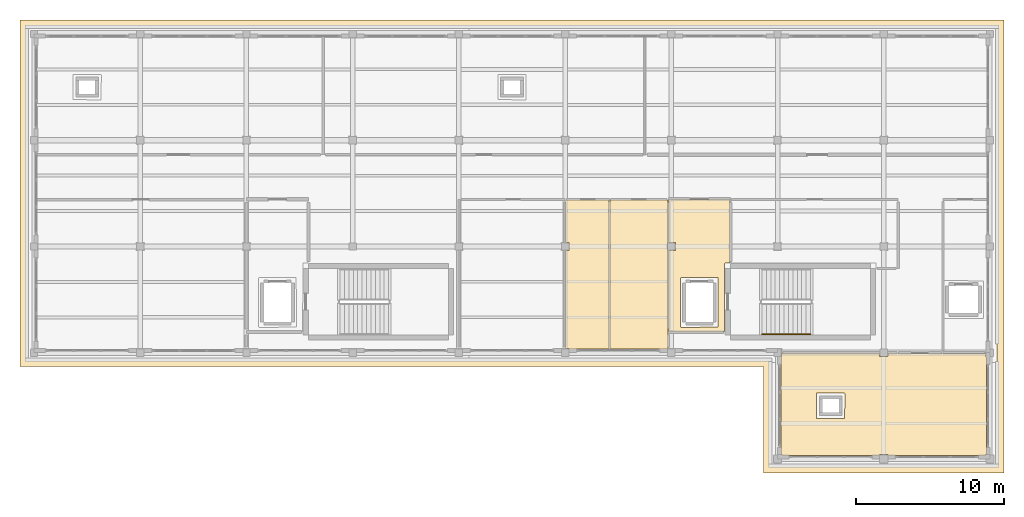
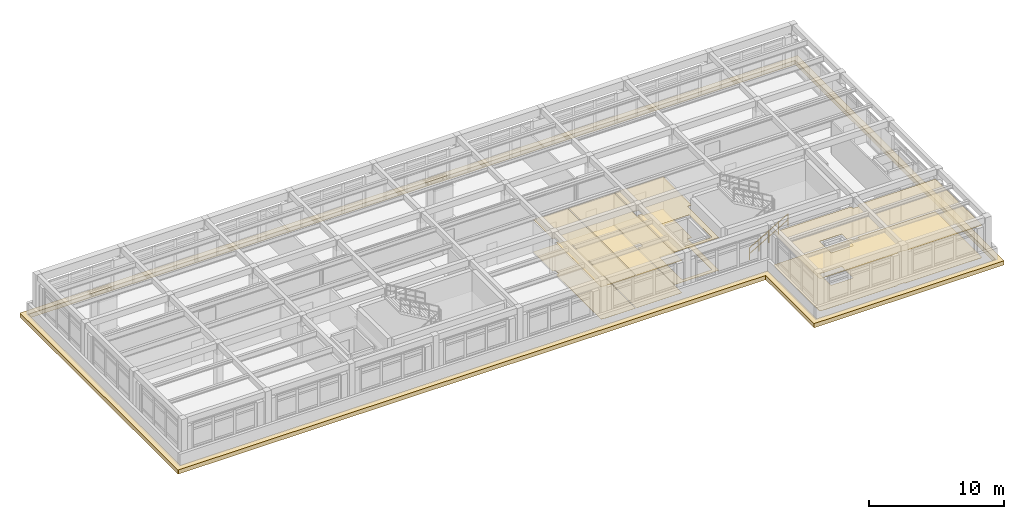
# One storey, part 19 of 20: 9 coverings, 1 railing.
"""IFC4 building model written with IfcOpenShell, lengths in metres."""

from ifc_helpers import new_model, si_unit, direction, frame, origin, origin_2d, place, context, subcontext, project, spatial, polyline, circle, outline, extrude, material, layer, layer_set, type_object, element, save


model = new_model("IFC4")

# Units and contexts
model_context = context("Model", 3, precision=1e-05, world=origin(), true_north=direction((0.0, 1.0)))
body_context = subcontext(model_context, "Body", "Model", "MODEL_VIEW")
ifc_project = project(units=[si_unit("LENGTHUNIT", "METRE"), si_unit("AREAUNIT", "SQUARE_METRE"), si_unit("VOLUMEUNIT", "CUBIC_METRE"), si_unit("PLANEANGLEUNIT", "RADIAN"), si_unit("MASSUNIT", "GRAM", prefix="KILO")], contexts=[model_context])

# Site, building, storey
site_placement = place(None, origin())
site = spatial("IfcSite", under=ifc_project, at=site_placement, CompositionType="ELEMENT")
building_placement = place(site_placement, origin())
building = spatial("IfcBuilding", under=site, at=building_placement, Name="Solenvale Faculty of Natural Sciences", CompositionType="ELEMENT")
storey_placement = place(building_placement, frame((0.0, 0.0, 35.39990234375)))
storey = spatial("IfcBuildingStorey", under=building, at=storey_placement, Name="L08", CompositionType="ELEMENT", Elevation=35.39990234375)

# Coverings
ifc_material_1 = material(Name="Acoustic mineral-timber ceiling", Category="wood")
ifc_layer_1 = layer(ifc_material_1, 0.02490234375)
ifc_layer_set_1 = layer_set([ifc_layer_1], Name="Acoustic mineral-timber ceiling")
covering_type_1 = type_object("IfcCoveringType", Name="COV-CEIL-AC25", PredefinedType="CEILING", material=ifc_layer_set_1)
covering_1_placement = place(storey_placement, frame((0.0, 0.0, 2.93505859375)))
element("IfcCovering", 1, at=covering_1_placement, inside=storey, type_object=covering_type_1, Name="L08 Firefighting Lobby C5 Acoustic Ceiling", PredefinedType="CEILING", context=body_context, shape_type="SweptSolid", body=[
    extrude(outline(polyline([(133.580078125, 99.7099609375), (133.555908203125, 99.680908203125), (133.248046875, 99.679931640625), (133.219970703125, 99.652099609375), (133.212890625, 95.031005859375), (133.18994140625, 95.02001953125), (129.430908203125, 95.027099609375), (129.419921875, 95.050048828125), (129.419921875, 100.498046875), (129.447021484375, 100.52490234375), (129.873046875, 100.529052734375), (129.875, 101.06396484375), (129.864013671875, 101.074951171875), (129.447021484375, 101.074951171875), (129.4208984375, 101.09912109375), (129.419921875, 103.949951171875), (129.428955078125, 103.970947265625), (129.449951171875, 103.97998046875), (133.550048828125, 103.97998046875), (133.571044921875, 103.970947265625), (133.580078125, 103.949951171875), (133.580078125, 99.7099609375)]), holes=[polyline([(130.248046875, 98.679931640625), (130.22802734375, 98.669921875), (130.219970703125, 98.64990234375), (130.22607421875, 95.33203125), (130.25, 95.320068359375), (132.76806640625, 95.325927734375), (132.780029296875, 95.35009765625), (132.77392578125, 98.66796875), (132.75, 98.679931640625), (130.248046875, 98.679931640625)])]), origin(), (0.0, 0.0, 1.0), 0.025146484375),
])
covering_2_placement = place(storey_placement, frame((0.0, 0.0, 2.93505859375)))
element("IfcCovering", 2, at=covering_2_placement, inside=storey, type_object=covering_type_1, Name="L08 Accessible Washroom Acoustic Ceiling", PredefinedType="CEILING", context=body_context, shape_type="SweptSolid", body=[
    extrude(outline(polyline([(122.705078125, 93.840087890625), (122.6669921875, 93.875), (122.467041015625, 93.875), (122.43994140625, 93.905029296875), (122.43994140625, 100.4951171875), (122.464111328125, 100.52392578125), (122.666015625, 100.52490234375), (122.675048828125, 100.535888671875), (122.674072265625, 101.069091796875), (122.467041015625, 101.074951171875), (122.43994140625, 101.10205078125), (122.44091796875, 103.93896484375), (122.469970703125, 103.9599609375), (125.35888671875, 103.958984375), (125.3798828125, 103.929931640625), (125.37890625, 93.861083984375), (125.35009765625, 93.840087890625), (122.705078125, 93.840087890625)])), origin(), (0.0, 0.0, 1.0), 0.025146484375),
])
covering_3_placement = place(storey_placement, frame((0.0, 0.0, 2.93505859375)))
element("IfcCovering", 3, at=covering_3_placement, inside=storey, type_object=covering_type_1, Name="L08 Analytical Balance Room Acoustic Ceiling", PredefinedType="CEILING", context=body_context, shape_type="SweptSolid", body=[
    extrude(outline(polyline([(129.366943359375, 93.8798828125), (129.294921875, 93.840087890625), (125.469970703125, 93.840087890625), (125.44189453125, 93.85888671875), (125.43994140625, 103.929931640625), (125.458984375, 103.9580078125), (129.330078125, 103.9599609375), (129.35791015625, 103.94091796875), (129.360107421875, 101.10498046875), (129.324951171875, 101.06591796875), (129.324951171875, 100.535888671875), (129.360107421875, 100.4951171875), (129.360107421875, 95.0), (129.3798828125, 94.950927734375), (129.3798828125, 93.905029296875), (129.366943359375, 93.8798828125)])), origin(), (0.0, 0.0, 1.0), 0.025146484375),
])
covering_4_placement = place(storey_placement, frame((0.0, 0.0, 2.93505859375)))
element("IfcCovering", 4, at=covering_4_placement, inside=storey, type_object=covering_type_1, Name="L08 Seminar Room Acoustic Ceiling", PredefinedType="CEILING", context=body_context, shape_type="SweptSolid", body=[
    extrude(outline(polyline([(137.0400390625, 93.294921875), (137.074951171875, 93.3330078125), (137.074951171875, 93.552978515625), (137.10498046875, 93.580078125), (143.695068359375, 93.580078125), (143.72412109375, 93.555908203125), (143.72509765625, 93.3359375), (143.736083984375, 93.324951171875), (144.26904296875, 93.325927734375), (144.27490234375, 93.552978515625), (144.304931640625, 93.580078125), (144.950927734375, 93.580078125), (145.0, 93.56005859375), (150.906005859375, 93.55810546875), (150.925048828125, 93.532958984375), (150.925048828125, 93.3330078125), (150.9599609375, 93.294921875), (150.9580078125, 86.718994140625), (150.94091796875, 86.701904296875), (150.904052734375, 86.697998046875), (150.89599609375, 86.656005859375), (150.8701171875, 86.639892578125), (144.330078125, 86.639892578125), (144.304931640625, 86.653076171875), (144.2890625, 86.699951171875), (143.708984375, 86.699951171875), (143.695068359375, 86.653076171875), (143.669921875, 86.639892578125), (137.118896484375, 86.64208984375), (137.10205078125, 86.658935546875), (137.097900390625, 86.696044921875), (137.055908203125, 86.7041015625), (137.0400390625, 86.72998046875), (137.0400390625, 93.294921875)]), holes=[polyline([(139.468017578125, 90.860107421875), (139.447998046875, 90.85009765625), (139.43994140625, 90.830078125), (139.43994140625, 89.169921875), (139.449951171875, 89.14794921875), (141.330078125, 89.139892578125), (141.35205078125, 89.14990234375), (141.360107421875, 90.830078125), (141.35009765625, 90.85205078125), (139.468017578125, 90.860107421875)])]), origin(), (0.0, 0.0, 1.0), 0.025146484375),
])
ifc_material_2 = material(Name="Polished slate terrazzo flooring", Category="masonry")
ifc_layer_2 = layer(ifc_material_2, 0.01806640625)
ifc_layer_set_2 = layer_set([ifc_layer_2], Name="Polished slate terrazzo flooring")
covering_type_2 = type_object("IfcCoveringType", Name="COV-FLR-TRZ18", PredefinedType="FLOORING", material=ifc_layer_set_2)
covering_5_placement = place(storey_placement, origin())
element("IfcCovering", 5, at=covering_5_placement, inside=storey, type_object=covering_type_2, Name="L08 Firefighting Lobby C5 Floor Finish", PredefinedType="FLOORING", context=body_context, shape_type="SweptSolid", body=[
    extrude(outline(polyline([(133.580078125, 99.7099609375), (133.555908203125, 99.680908203125), (133.248046875, 99.679931640625), (133.219970703125, 99.652099609375), (133.212890625, 95.031005859375), (133.18994140625, 95.02001953125), (129.430908203125, 95.027099609375), (129.419921875, 95.050048828125), (129.419921875, 100.498046875), (129.447021484375, 100.52490234375), (129.873046875, 100.529052734375), (129.875, 101.06396484375), (129.864013671875, 101.074951171875), (129.447021484375, 101.074951171875), (129.4208984375, 101.09912109375), (129.419921875, 103.949951171875), (129.428955078125, 103.970947265625), (129.449951171875, 103.97998046875), (133.550048828125, 103.97998046875), (133.571044921875, 103.970947265625), (133.580078125, 103.949951171875), (133.580078125, 99.7099609375)]), holes=[polyline([(130.248046875, 98.679931640625), (130.22802734375, 98.669921875), (130.219970703125, 98.64990234375), (130.22607421875, 95.33203125), (130.25, 95.320068359375), (132.76806640625, 95.325927734375), (132.780029296875, 95.35009765625), (132.77392578125, 98.66796875), (132.75, 98.679931640625), (130.248046875, 98.679931640625)])]), origin(), (0.0, 0.0, 1.0), 0.01806640625),
])
covering_6_placement = place(storey_placement, origin())
element("IfcCovering", 6, at=covering_6_placement, inside=storey, type_object=covering_type_2, Name="L08 Accessible Washroom Floor Finish", PredefinedType="FLOORING", context=body_context, shape_type="SweptSolid", body=[
    extrude(outline(polyline([(122.705078125, 93.840087890625), (122.6669921875, 93.875), (122.467041015625, 93.875), (122.43994140625, 93.905029296875), (122.43994140625, 100.4951171875), (122.464111328125, 100.52392578125), (122.666015625, 100.52490234375), (122.675048828125, 100.535888671875), (122.674072265625, 101.069091796875), (122.467041015625, 101.074951171875), (122.43994140625, 101.10205078125), (122.44091796875, 103.93896484375), (122.469970703125, 103.9599609375), (125.35888671875, 103.958984375), (125.3798828125, 103.929931640625), (125.37890625, 93.861083984375), (125.35009765625, 93.840087890625), (122.705078125, 93.840087890625)])), origin(), (0.0, 0.0, 1.0), 0.01806640625),
])
covering_7_placement = place(storey_placement, origin())
element("IfcCovering", 7, at=covering_7_placement, inside=storey, type_object=covering_type_2, Name="L08 Analytical Balance Room Floor Finish", PredefinedType="FLOORING", context=body_context, shape_type="SweptSolid", body=[
    extrude(outline(polyline([(129.366943359375, 93.8798828125), (129.294921875, 93.840087890625), (125.469970703125, 93.840087890625), (125.44189453125, 93.85888671875), (125.43994140625, 103.929931640625), (125.458984375, 103.9580078125), (129.330078125, 103.9599609375), (129.35791015625, 103.94091796875), (129.360107421875, 101.10498046875), (129.324951171875, 101.06591796875), (129.324951171875, 100.535888671875), (129.360107421875, 100.4951171875), (129.360107421875, 95.0), (129.3798828125, 94.950927734375), (129.3798828125, 93.905029296875), (129.366943359375, 93.8798828125)])), origin(), (0.0, 0.0, 1.0), 0.01806640625),
])
covering_8_placement = place(storey_placement, origin())
element("IfcCovering", 8, at=covering_8_placement, inside=storey, type_object=covering_type_2, Name="L08 Seminar Room Floor Finish", PredefinedType="FLOORING", context=body_context, shape_type="SweptSolid", body=[
    extrude(outline(polyline([(137.0400390625, 93.294921875), (137.074951171875, 93.3330078125), (137.074951171875, 93.552978515625), (137.10498046875, 93.580078125), (143.695068359375, 93.580078125), (143.72412109375, 93.555908203125), (143.72509765625, 93.3359375), (143.736083984375, 93.324951171875), (144.26904296875, 93.325927734375), (144.27490234375, 93.552978515625), (144.304931640625, 93.580078125), (144.950927734375, 93.580078125), (145.0, 93.56005859375), (150.906005859375, 93.55810546875), (150.925048828125, 93.532958984375), (150.925048828125, 93.3330078125), (150.9599609375, 93.294921875), (150.9580078125, 86.718994140625), (150.94091796875, 86.701904296875), (150.904052734375, 86.697998046875), (150.89599609375, 86.656005859375), (150.8701171875, 86.639892578125), (144.330078125, 86.639892578125), (144.304931640625, 86.653076171875), (144.2890625, 86.699951171875), (143.708984375, 86.699951171875), (143.695068359375, 86.653076171875), (143.669921875, 86.639892578125), (137.118896484375, 86.64208984375), (137.10205078125, 86.658935546875), (137.097900390625, 86.696044921875), (137.055908203125, 86.7041015625), (137.0400390625, 86.72998046875), (137.0400390625, 93.294921875)]), holes=[polyline([(139.468017578125, 90.860107421875), (139.447998046875, 90.85009765625), (139.43994140625, 90.830078125), (139.43994140625, 89.169921875), (139.449951171875, 89.14794921875), (141.330078125, 89.139892578125), (141.35205078125, 89.14990234375), (141.360107421875, 90.830078125), (141.35009765625, 90.85205078125), (139.468017578125, 90.860107421875)])]), origin(), (0.0, 0.0, 1.0), 0.01806640625),
])
ifc_material_3 = material(Name="Insulated EPDM roofing membrane")
ifc_layer_3 = layer(ifc_material_3, 0.06494140625)
ifc_layer_set_3 = layer_set([ifc_layer_3], Name="Insulated EPDM roofing membrane")
covering_type_3 = type_object("IfcCoveringType", Name="COV-ROOF-MEMB", PredefinedType="ROOFING", material=ifc_layer_set_3)
covering_9_placement = place(storey_placement, frame((0.0, 0.0, -0.33984375)))
element("IfcCovering", 9, at=covering_9_placement, inside=storey, type_object=covering_type_3, Name="L08 Projecting Horizontal Bronze Concrete Tray Ledge 1", PredefinedType="CLADDING", context=body_context, shape_type="SweptSolid", body=[
    extrude(outline(polyline([(85.469970703125, 92.64990234375), (85.4560546875, 92.656005859375), (85.449951171875, 92.669921875), (85.449951171875, 116.1298828125), (85.464111328125, 116.14892578125), (152.1298828125, 116.14990234375), (152.14892578125, 116.135986328125), (152.14990234375, 85.469970703125), (152.135986328125, 85.450927734375), (135.862060546875, 85.451904296875), (135.85009765625, 85.469970703125), (135.85009765625, 92.64990234375), (85.469970703125, 92.64990234375)]), holes=[polyline([(85.919921875, 93.1201171875), (136.302001953125, 93.1201171875), (136.31396484375, 93.114013671875), (136.320068359375, 93.10009765625), (136.320068359375, 85.919921875), (151.679931640625, 85.919921875), (151.679931640625, 115.679931640625), (85.919921875, 115.679931640625), (85.919921875, 93.1201171875)])]), origin(), (0.0, 0.0, 1.0), 0.3798828125),
])

# Railing
ifc_material_4 = material(Name="Stainless steel Grade 304", Category="steel")
railing_type = type_object("IfcRailingType", Name="RL-HND-900", PredefinedType="HANDRAIL", material=ifc_material_4)
railing_placement = place(storey_placement, frame((135.739990234375, 94.85009765625, 0.175048828125)))
element("IfcRailing", 10, at=railing_placement, inside=storey, type_object=railing_type, Name="L08 ST-05 stair handrail 1", PredefinedType="HANDRAIL", context=body_context, shape_type="SweptSolid", body=[
    extrude(circle(Radius=0.02392578125, at=origin_2d()), frame((0.0, 0.0, 1.0751953125), z_axis=(0.863776583165, 0.0, 0.503874998761), x_axis=(0.0, 1.0, 0.0)), (0.0, 0.0, 1.0), 3.820556640625),
    extrude(circle(Radius=0.01611328125, at=origin_2d()), frame((0.0, 0.0, 0.549560546875), z_axis=(0.863776583165, 0.0, 0.503874998761), x_axis=(0.0, 1.0, 0.0)), (0.0, 0.0, 1.0), 3.820556640625),
    extrude(circle(Radius=0.02099609375, at=origin_2d()), origin(), (0.0, 0.0, 1.0), 1.051025390625),
    extrude(circle(Radius=0.02099609375, at=origin_2d()), frame((0.824951171875, 0.0, 0.481201171875)), (0.0, 0.0, 1.0), 1.051025390625),
    extrude(circle(Radius=0.02099609375, at=origin_2d()), frame((1.64990234375, 0.0, 0.96240234375)), (0.0, 0.0, 1.0), 1.051025390625),
    extrude(circle(Radius=0.02099609375, at=origin_2d()), frame((2.47509765625, 0.0, 1.44384765625)), (0.0, 0.0, 1.0), 1.051025390625),
    extrude(circle(Radius=0.02099609375, at=origin_2d()), frame((3.300048828125, 0.0, 1.925048828125)), (0.0, 0.0, 1.0), 1.051025390625),
])

save(model, "model.ifc")
